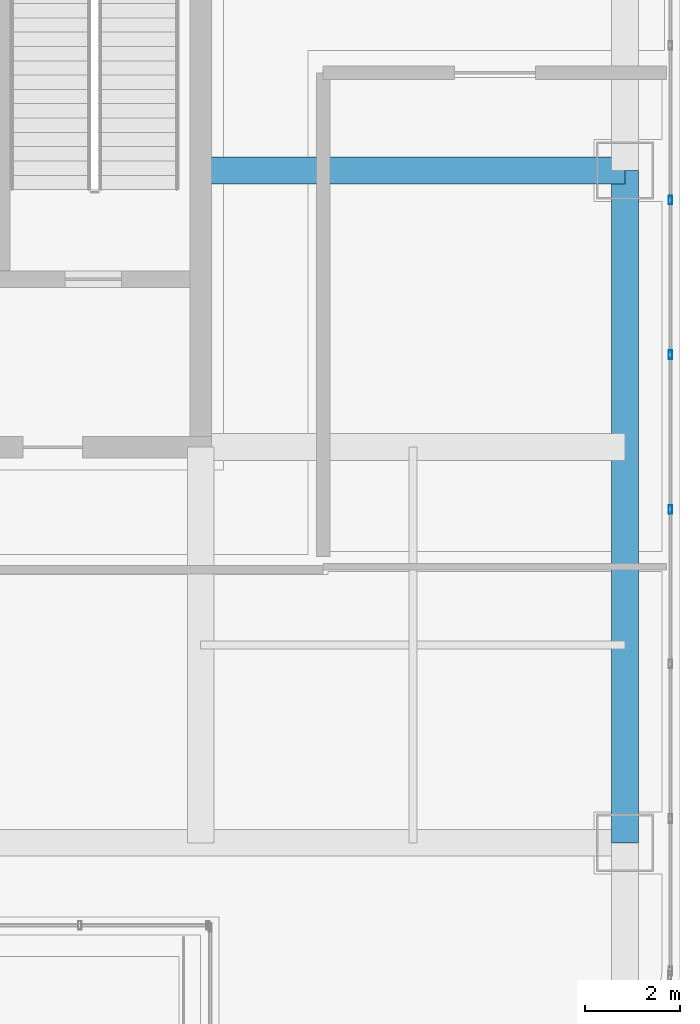
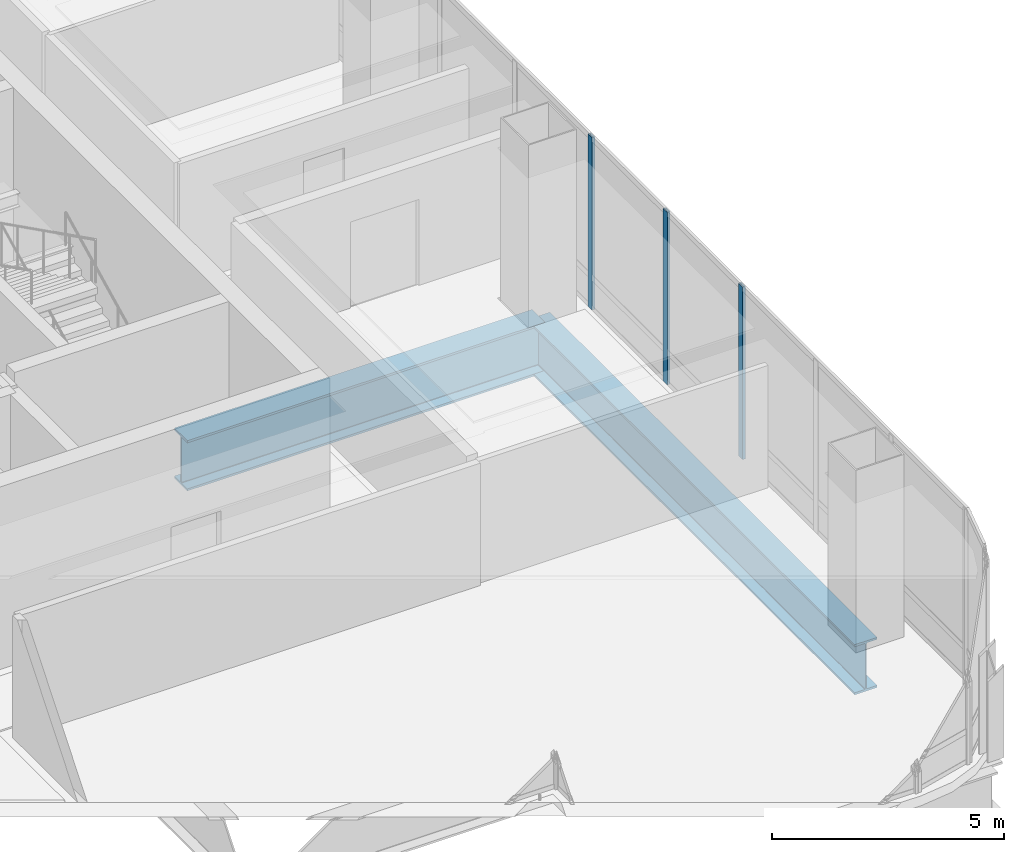
# One storey, part 20 of 44: 3 members, 2 beams, 1 element without a shape of its own.
"""IFC4 building model written with IfcOpenShell, lengths in metres."""

from ifc_helpers import new_model, si_unit, direction, frame, origin, origin_2d, place, context, subcontext, project, spatial, hollow_rectangle, i_section, extrude, material, material_profile, profile_set, type_object, element, aggregate, save


model = new_model("IFC4")

# Units and contexts
model_context = context("Model", 3, precision=1e-05, world=origin(), true_north=direction((0.0, 1.0)))
body_context = subcontext(model_context, "Body", "Model", "MODEL_VIEW")
ifc_project = project(units=[si_unit("LENGTHUNIT", "METRE"), si_unit("AREAUNIT", "SQUARE_METRE"), si_unit("VOLUMEUNIT", "CUBIC_METRE"), si_unit("PLANEANGLEUNIT", "RADIAN"), si_unit("MASSUNIT", "GRAM", prefix="KILO")], contexts=[model_context])

# Site, building, storey
site_placement = place(None, origin())
site = spatial("IfcSite", under=ifc_project, at=site_placement, CompositionType="ELEMENT")
building_placement = place(site_placement, origin())
building = spatial("IfcBuilding", under=site, at=building_placement, Name="Punatoya Terracotta Tower", CompositionType="ELEMENT")
storey_placement = place(building_placement, frame((0.0, 0.0, 334.199951171875)))
storey = spatial("IfcBuildingStorey", under=building, at=storey_placement, Name="L79", CompositionType="ELEMENT", Elevation=334.199951171875)

# Beams
ifc_material_1 = material(Name="Steel S460", Category="steel")
ifc_material_profile_1 = material_profile(ifc_material_1, i_section(OverallWidth=0.56005859375, OverallDepth=1.320068359375, WebThickness=0.035888671875, FlangeThickness=0.054931640625, FilletRadius=0.01806640625, at=origin_2d()))
ifc_profile_set_1 = profile_set([ifc_material_profile_1], Name="Steel S460")
beam_type = type_object("IfcBeamType", Name="BM-TG-BLK", PredefinedType="BEAM", material=ifc_profile_set_1)
beam_1_placement = place(storey_placement, frame((19.10009765625, -17.5, -0.919921875), z_axis=(0.0, 1.0, 0.0), x_axis=(-1.0, 0.0, 0.0)))
element("IfcBeam", 1, at=beam_1_placement, inside=storey, type_object=beam_type, Name="BM-L79-RG-E1", PredefinedType="BEAM", context=body_context, shape_type="SweptSolid", body=[
    extrude(i_section(OverallWidth=0.56005859375, OverallDepth=1.320068359375, WebThickness=0.035888671875, FlangeThickness=0.054931640625, FilletRadius=0.01806640625, at=origin_2d()), origin(), (0.0, 0.0, 1.0), 14.10009765625),
])
beam_2_placement = place(storey_placement, frame((10.199951171875, -3.39990234375, -0.919921875), z_axis=(1.0, 0.0, 0.0), x_axis=(0.0, 1.0, 0.0)))
element("IfcBeam", 2, at=beam_2_placement, inside=storey, type_object=beam_type, Name="BM-L79-PR-ED", PredefinedType="BEAM", context=body_context, shape_type="SweptSolid", body=[
    extrude(i_section(OverallWidth=0.56005859375, OverallDepth=1.320068359375, WebThickness=0.035888671875, FlangeThickness=0.054931640625, FilletRadius=0.01806640625, at=origin_2d()), origin(), (0.0, 0.0, 1.0), 8.900146484375),
])

# Curtain wall, members
ifc_material_2 = material(Name="Aluminium 6063-T6 + Double Low-E Glass", Category="aluminium")
curtain_wall_type = type_object("IfcCurtainWallType", Name="CW-OBS", PredefinedType="NOTDEFINED", material=ifc_material_2)
curtain_wall_placement = place(storey_placement, origin())
curtain_wall = element("IfcCurtainWall", 3, at=curtain_wall_placement, inside=storey, type_object=curtain_wall_type, Name="L79 Curtain Wall CW-L79-E10-1", PredefinedType="NOTDEFINED")
ifc_material_3 = material(Name="Aluminium 6063-T6", Category="aluminium")
ifc_material_profile_2 = material_profile(ifc_material_3, hollow_rectangle(XDim=0.070068359375, YDim=0.179931640625, WallThickness=0.00390625, at=origin_2d()))
ifc_profile_set_2 = profile_set([ifc_material_profile_2], Name="Aluminium 6063-T6")
member_type = type_object("IfcMemberType", Name="CW-MUL-M3", PredefinedType="MULLION", material=ifc_profile_set_2)
member_1_placement = place(storey_placement, frame((20.050048828125, -10.5078125, 0.0), z_axis=(0.0, 0.0, 1.0), x_axis=(1.0, 0.0, 0.0)))
member_1 = element("IfcMember", 4, at=member_1_placement, type_object=member_type, Name="CW-L79-E10-1 Mullion 03", PredefinedType="MULLION", context=body_context, shape_type="SweptSolid", body=[
    extrude(hollow_rectangle(XDim=0.070068359375, YDim=0.179931640625, WallThickness=0.00390625, at=origin_2d()), origin(), (0.0, 0.0, 1.0), 4.5400390625),
])
member_2_placement = place(storey_placement, frame((20.050048828125, -7.2646484375, 0.0), z_axis=(0.0, 0.0, 1.0), x_axis=(1.0, 0.0, 0.0)))
member_2 = element("IfcMember", 5, at=member_2_placement, type_object=member_type, Name="CW-L79-E10-1 Mullion 04", PredefinedType="MULLION", context=body_context, shape_type="SweptSolid", body=[
    extrude(hollow_rectangle(XDim=0.070068359375, YDim=0.179931640625, WallThickness=0.00390625, at=origin_2d()), origin(), (0.0, 0.0, 1.0), 4.5400390625),
])
member_3_placement = place(storey_placement, frame((20.050048828125, -4.021484375, 0.0), z_axis=(0.0, 0.0, 1.0), x_axis=(1.0, 0.0, 0.0)))
member_3 = element("IfcMember", 6, at=member_3_placement, type_object=member_type, Name="CW-L79-E10-1 Mullion 05", PredefinedType="MULLION", context=body_context, shape_type="SweptSolid", body=[
    extrude(hollow_rectangle(XDim=0.070068359375, YDim=0.179931640625, WallThickness=0.00390625, at=origin_2d()), origin(), (0.0, 0.0, 1.0), 4.5400390625),
])
aggregate(curtain_wall, [member_1, member_2, member_3])

save(model, "model.ifc")
